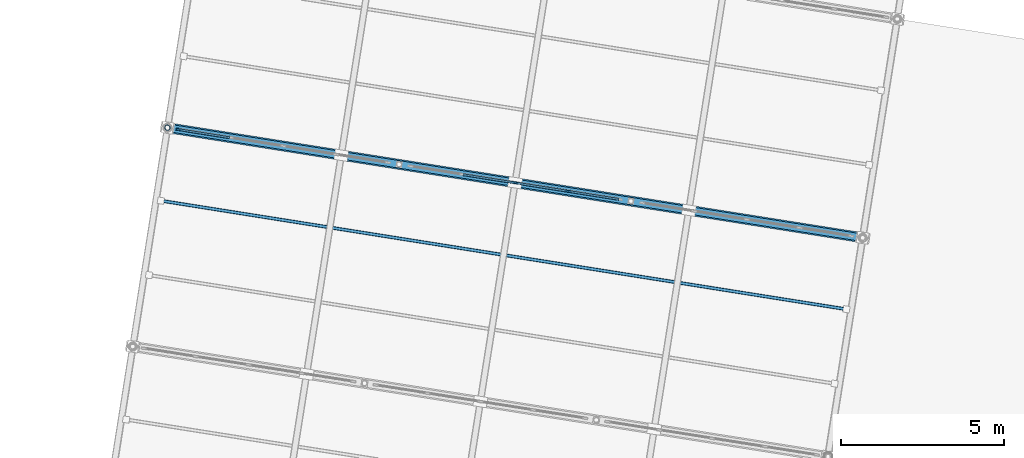
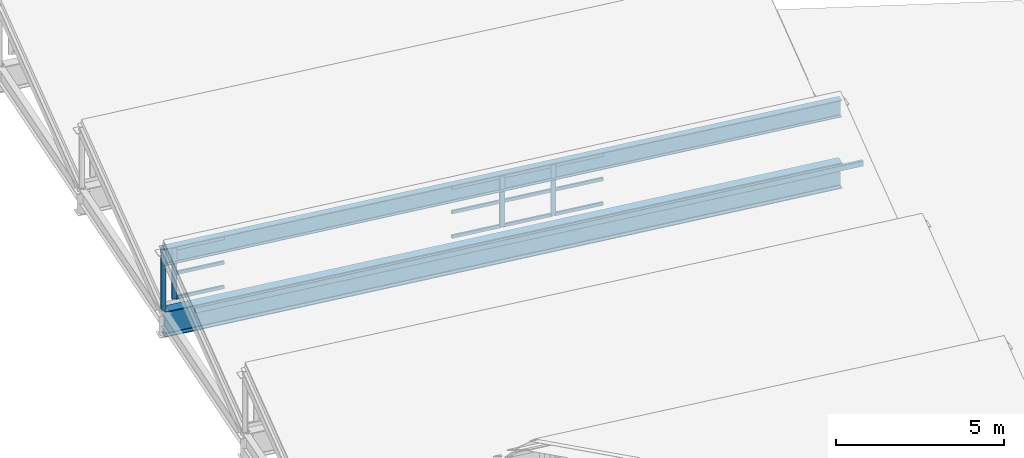
# One storey, part 42 of 65: 17 members, 2 beams, 2 elements without a shape of their own.
"""IFC4 building model written with IfcOpenShell, lengths in metres."""

from ifc_helpers import new_model, si_unit, direction, frame, origin, origin_2d, place, context, subcontext, project, spatial, rectangle, hollow_rectangle, hollow_circle, i_section, extrude, material, material_profile, profile_set, type_object, element, aggregate, save


model = new_model("IFC4")

# Units and contexts
model_context = context("Model", 3, precision=1e-05, world=origin(), true_north=direction((0.0, 1.0)))
body_context = subcontext(model_context, "Body", "Model", "MODEL_VIEW")
ifc_project = project(units=[si_unit("LENGTHUNIT", "METRE"), si_unit("AREAUNIT", "SQUARE_METRE"), si_unit("VOLUMEUNIT", "CUBIC_METRE"), si_unit("PLANEANGLEUNIT", "RADIAN"), si_unit("MASSUNIT", "GRAM", prefix="KILO")], contexts=[model_context])

# Site, building, storey
site_placement = place(None, origin())
site = spatial("IfcSite", under=ifc_project, at=site_placement, CompositionType="ELEMENT")
building_placement = place(site_placement, origin())
building = spatial("IfcBuilding", under=site, at=building_placement, Name="Cinderway Yard Community Centre", CompositionType="ELEMENT")
storey_placement = place(building_placement, frame((0.0, 0.0, 24.300048828125)))
storey = spatial("IfcBuildingStorey", under=building, at=storey_placement, Name="RF", CompositionType="ELEMENT", Elevation=24.300048828125)

# Curtain wall, member
ifc_material_1 = material(Name="Aluminium 6063-T6", Category="aluminium")
curtain_wall_type = type_object("IfcCurtainWallType", Name="ENV-CW-TYPE-23", PredefinedType="USERDEFINED", material=ifc_material_1)
curtain_wall_1_placement = place(storey_placement, origin())
curtain_wall_1 = element("IfcCurtainWall", 1, at=curtain_wall_1_placement, inside=storey, type_object=curtain_wall_type, Name="Sawtooth North-Light Clerestory ENV-CW-RF-ST-0081", ObjectType="GLAZED CURTAIN WALL", PredefinedType="USERDEFINED")
ifc_material_profile_1 = material_profile(ifc_material_1, rectangle(XDim=0.06005859375, YDim=0.159912109375, at=origin_2d()), Name="Aluminium 6063-T6")
ifc_profile_set_1 = profile_set([ifc_material_profile_1], Name="Aluminium 6063-T6")
member_type_1 = type_object("IfcMemberType", Name="ENV-CW-MULL-150", PredefinedType="MULLION", material=ifc_profile_set_1)
member_1_placement = place(storey_placement, frame((122.6005859375, 64.810302734375, -10.199951171875), z_axis=(0.0, 0.0, 1.0), x_axis=(0.15640876877, 0.987692410142, 0.0)))
member_1 = element("IfcMember", 2, at=member_1_placement, type_object=member_type_1, Name="CW-23 mullion 1", PredefinedType="MULLION", context=body_context, shape_type="SweptSolid", body=[
    extrude(rectangle(XDim=0.06005859375, YDim=0.159912109375, at=origin_2d()), origin(), (0.0, 0.0, 1.0), 1.849853515625),
])

# Curtain wall, members
curtain_wall_2_placement = place(storey_placement, origin())
curtain_wall_2 = element("IfcCurtainWall", 3, at=curtain_wall_2_placement, inside=storey, type_object=curtain_wall_type, Name="Sawtooth North-Light Clerestory ENV-CW-RF-ST-0082", ObjectType="GLAZED CURTAIN WALL", PredefinedType="USERDEFINED")
member_2_placement = place(storey_placement, frame((132.922119140625, 63.175537109375, -10.199951171875), z_axis=(0.0, 0.0, 1.0), x_axis=(0.156533911189, 0.98767258474, 0.0)))
member_2 = element("IfcMember", 4, at=member_2_placement, type_object=member_type_1, Name="CW-23 mullion 3", PredefinedType="MULLION", context=body_context, shape_type="SweptSolid", body=[
    extrude(rectangle(XDim=0.06005859375, YDim=0.159912109375, at=origin_2d()), origin(), (0.0, 0.0, 1.0), 1.849853515625),
])
member_3_placement = place(storey_placement, frame((134.5419921875, 62.918701171875, -10.199951171875), z_axis=(0.0, 0.0, 1.0), x_axis=(0.156533911189, 0.98767258474, 0.0)))
member_3 = element("IfcMember", 5, at=member_3_placement, type_object=member_type_1, Name="CW-23 mullion 4", PredefinedType="MULLION", context=body_context, shape_type="SweptSolid", body=[
    extrude(rectangle(XDim=0.06005859375, YDim=0.159912109375, at=origin_2d()), origin(), (0.0, 0.0, 1.0), 1.849853515625),
])

# Member
ifc_material_profile_2 = material_profile(ifc_material_1, rectangle(XDim=0.06005859375, YDim=0.1201171875, at=origin_2d()), Name="Aluminium 6063-T6")
ifc_profile_set_2 = profile_set([ifc_material_profile_2], Name="Aluminium 6063-T6")
member_type_2 = type_object("IfcMemberType", Name="ENV-CW-TRAN-110", PredefinedType="USERDEFINED", material=ifc_profile_set_2)
member_4_placement = place(storey_placement, frame((122.63037109375, 64.8056640625, -10.170166015625), z_axis=(0.987690055006, -0.15642364029, 0.0), x_axis=(0.15642364029, 0.987690055006, 0.0)))
member_4 = element("IfcMember", 6, at=member_4_placement, type_object=member_type_2, Name="CW-23 transom 1.1", ObjectType="TRANSOM", PredefinedType="USERDEFINED", context=body_context, shape_type="SweptSolid", body=[
    extrude(rectangle(XDim=0.06005859375, YDim=0.1201171875, at=origin_2d()), origin(), (0.0, 0.0, 1.0), 1.5498046875),
])

member_5_placement = place(storey_placement, frame((122.63037109375, 64.8056640625, -9.280029296875), z_axis=(0.987690055006, -0.15642364029, 0.0), x_axis=(0.15642364029, 0.987690055006, 0.0)))
member_5 = element("IfcMember", 7, at=member_5_placement, type_object=member_type_2, Name="CW-23 transom 1.2", ObjectType="TRANSOM", PredefinedType="USERDEFINED", context=body_context, shape_type="SweptSolid", body=[
    extrude(rectangle(XDim=0.06005859375, YDim=0.1201171875, at=origin_2d()), origin(), (0.0, 0.0, 1.0), 1.5498046875),
])

member_6_placement = place(storey_placement, frame((122.63037109375, 64.8056640625, -8.380126953125), z_axis=(0.987690055006, -0.15642364029, 0.0), x_axis=(0.15642364029, 0.987690055006, 0.0)))
member_6 = element("IfcMember", 8, at=member_6_placement, type_object=member_type_2, Name="CW-23 transom 1.3", ObjectType="TRANSOM", PredefinedType="USERDEFINED", context=body_context, shape_type="SweptSolid", body=[
    extrude(rectangle(XDim=0.06005859375, YDim=0.1201171875, at=origin_2d()), origin(), (0.0, 0.0, 1.0), 1.5498046875),
])

aggregate(curtain_wall_1, [member_1, member_4, member_5, member_6])

member_7_placement = place(storey_placement, frame((131.33154296875, 63.427490234375, -10.170166015625), z_axis=(0.98767763775, -0.15650202519, 0.0), x_axis=(0.15650202519, 0.98767763775, 0.0)))
member_7 = element("IfcMember", 9, at=member_7_placement, type_object=member_type_2, Name="CW-23 transom 2.1", ObjectType="TRANSOM", PredefinedType="USERDEFINED", context=body_context, shape_type="SweptSolid", body=[
    extrude(rectangle(XDim=0.06005859375, YDim=0.1201171875, at=origin_2d()), origin(), (0.0, 0.0, 1.0), 1.580322265625),
])

member_8_placement = place(storey_placement, frame((131.33154296875, 63.427490234375, -9.280029296875), z_axis=(0.98767763775, -0.15650202519, 0.0), x_axis=(0.15650202519, 0.98767763775, 0.0)))
member_8 = element("IfcMember", 10, at=member_8_placement, type_object=member_type_2, Name="CW-23 transom 2.2", ObjectType="TRANSOM", PredefinedType="USERDEFINED", context=body_context, shape_type="SweptSolid", body=[
    extrude(rectangle(XDim=0.06005859375, YDim=0.1201171875, at=origin_2d()), origin(), (0.0, 0.0, 1.0), 1.580322265625),
])

member_9_placement = place(storey_placement, frame((131.33154296875, 63.427490234375, -8.380126953125), z_axis=(0.98767763775, -0.15650202519, 0.0), x_axis=(0.15650202519, 0.98767763775, 0.0)))
member_9 = element("IfcMember", 11, at=member_9_placement, type_object=member_type_2, Name="CW-23 transom 2.3", ObjectType="TRANSOM", PredefinedType="USERDEFINED", context=body_context, shape_type="SweptSolid", body=[
    extrude(rectangle(XDim=0.06005859375, YDim=0.1201171875, at=origin_2d()), origin(), (0.0, 0.0, 1.0), 1.580322265625),
])

member_10_placement = place(storey_placement, frame((132.95166015625, 63.1708984375, -10.170166015625), z_axis=(0.987653746204, -0.156652729337, 0.0), x_axis=(0.156652729337, 0.987653746204, 0.0)))
member_10 = element("IfcMember", 12, at=member_10_placement, type_object=member_type_2, Name="CW-23 transom 3.1", ObjectType="TRANSOM", PredefinedType="USERDEFINED", context=body_context, shape_type="SweptSolid", body=[
    extrude(rectangle(XDim=0.06005859375, YDim=0.1201171875, at=origin_2d()), origin(), (0.0, 0.0, 1.0), 1.580322265625),
])

member_11_placement = place(storey_placement, frame((132.95166015625, 63.1708984375, -9.280029296875), z_axis=(0.987653746204, -0.156652729337, 0.0), x_axis=(0.156652729337, 0.987653746204, 0.0)))
member_11 = element("IfcMember", 13, at=member_11_placement, type_object=member_type_2, Name="CW-23 transom 3.2", ObjectType="TRANSOM", PredefinedType="USERDEFINED", context=body_context, shape_type="SweptSolid", body=[
    extrude(rectangle(XDim=0.06005859375, YDim=0.1201171875, at=origin_2d()), origin(), (0.0, 0.0, 1.0), 1.580322265625),
])

member_12_placement = place(storey_placement, frame((132.95166015625, 63.1708984375, -8.380126953125), z_axis=(0.987653746204, -0.156652729337, 0.0), x_axis=(0.156652729337, 0.987653746204, 0.0)))
member_12 = element("IfcMember", 14, at=member_12_placement, type_object=member_type_2, Name="CW-23 transom 3.3", ObjectType="TRANSOM", PredefinedType="USERDEFINED", context=body_context, shape_type="SweptSolid", body=[
    extrude(rectangle(XDim=0.06005859375, YDim=0.1201171875, at=origin_2d()), origin(), (0.0, 0.0, 1.0), 1.580322265625),
])

member_13_placement = place(storey_placement, frame((134.571533203125, 62.9140625, -10.170166015625), z_axis=(0.987673426318, -0.156528601046, 0.0), x_axis=(0.156528601046, 0.987673426318, 0.0)))
member_13 = element("IfcMember", 15, at=member_13_placement, type_object=member_type_2, Name="CW-23 transom 4.1", ObjectType="TRANSOM", PredefinedType="USERDEFINED", context=body_context, shape_type="SweptSolid", body=[
    extrude(rectangle(XDim=0.06005859375, YDim=0.1201171875, at=origin_2d()), origin(), (0.0, 0.0, 1.0), 1.55029296875),
])

member_14_placement = place(storey_placement, frame((134.571533203125, 62.9140625, -9.280029296875), z_axis=(0.987673426318, -0.156528601046, 0.0), x_axis=(0.156528601046, 0.987673426318, 0.0)))
member_14 = element("IfcMember", 16, at=member_14_placement, type_object=member_type_2, Name="CW-23 transom 4.2", ObjectType="TRANSOM", PredefinedType="USERDEFINED", context=body_context, shape_type="SweptSolid", body=[
    extrude(rectangle(XDim=0.06005859375, YDim=0.1201171875, at=origin_2d()), origin(), (0.0, 0.0, 1.0), 1.55029296875),
])

member_15_placement = place(storey_placement, frame((134.571533203125, 62.9140625, -8.380126953125), z_axis=(0.987673426318, -0.156528601046, 0.0), x_axis=(0.156528601046, 0.987673426318, 0.0)))
member_15 = element("IfcMember", 17, at=member_15_placement, type_object=member_type_2, Name="CW-23 transom 4.3", ObjectType="TRANSOM", PredefinedType="USERDEFINED", context=body_context, shape_type="SweptSolid", body=[
    extrude(rectangle(XDim=0.06005859375, YDim=0.1201171875, at=origin_2d()), origin(), (0.0, 0.0, 1.0), 1.55029296875),
])

aggregate(curtain_wall_2, [member_2, member_3, member_7, member_8, member_9, member_10, member_11, member_12, member_13, member_14, member_15])

# Beams
ifc_material_2 = material(Name="Steel S355", Category="steel")
ifc_material_profile_3 = material_profile(ifc_material_2, i_section(OverallWidth=0.22998046875, OverallDepth=0.616943359375, WebThickness=0.011962890625, FlangeThickness=0.01953125, FilletRadius=0.01611328125, at=origin_2d()), Name="Steel S355")
ifc_profile_set_3 = profile_set([ifc_material_profile_3], Name="Steel S355")
beam_type_1 = type_object("IfcBeamType", Name="STR-BM-W610X140", PredefinedType="BEAM", material=ifc_profile_set_3)
beam_1_placement = place(storey_placement, frame((122.2548828125, 64.864990234375, -8.55810546875), z_axis=(0.987689081599, -0.156429786455, 0.0), x_axis=(0.156429786455, 0.987689081599, 0.0)))
element("IfcBeam", 18, at=beam_1_placement, inside=storey, type_object=beam_type_1, Name="Sawtooth apex girder STR-BM-RF-SB05-1021", PredefinedType="BEAM", context=body_context, shape_type="SweptSolid", body=[
    extrude(i_section(OverallWidth=0.22998046875, OverallDepth=0.616943359375, WebThickness=0.011962890625, FlangeThickness=0.01953125, FilletRadius=0.01611328125, at=origin_2d()), origin(), (0.0, 0.0, 1.0), 21.60009765625),
])
ifc_material_profile_4 = material_profile(ifc_material_2, i_section(OverallWidth=0.30908203125, OverallDepth=0.931884765625, WebThickness=0.017333984375, FlangeThickness=0.030029296875, FilletRadius=0.02392578125, at=origin_2d()), Name="Steel S355")
ifc_profile_set_4 = profile_set([ifc_material_profile_4], Name="Steel S355")
beam_type_2 = type_object("IfcBeamType", Name="STR-BM-W920X313", PredefinedType="BEAM", material=ifc_profile_set_4)
beam_2_placement = place(storey_placement, frame((122.2548828125, 64.864990234375, -10.966064453125), z_axis=(0.987689081599, -0.156429786455, 0.0), x_axis=(0.156429786455, 0.987689081599, 0.0)))
element("IfcBeam", 19, at=beam_2_placement, inside=storey, type_object=beam_type_2, Name="Sports Hall clear-span girder 05", PredefinedType="BEAM", context=body_context, shape_type="SweptSolid", body=[
    extrude(i_section(OverallWidth=0.30908203125, OverallDepth=0.931884765625, WebThickness=0.017333984375, FlangeThickness=0.030029296875, FilletRadius=0.02392578125, at=origin_2d()), origin(), (0.0, 0.0, 1.0), 21.60009765625),
])

# Members
ifc_material_profile_5 = material_profile(ifc_material_2, hollow_rectangle(XDim=0.10009765625, YDim=0.199951171875, WallThickness=0.008056640625, InnerFilletRadius=0.008056640625, OuterFilletRadius=0.01611328125, at=origin_2d()), Name="Steel S355")
ifc_profile_set_5 = profile_set([ifc_material_profile_5], Name="Steel S355")
member_type_3 = type_object("IfcMemberType", Name="STR-MEM-PURLIN-200", PredefinedType="PURLIN", material=ifc_profile_set_5)
member_16_placement = place(storey_placement, frame((122.052001953125, 62.625, -9.095947265625), z_axis=(0.987688878943, -0.156431066005, 0.0), x_axis=(0.156431066005, 0.987688878943, 0.0)))
element("IfcMember", 20, at=member_16_placement, inside=storey, type_object=member_type_3, Name="Sawtooth roof purlin B4-67", PredefinedType="PURLIN", context=body_context, shape_type="SweptSolid", body=[
    extrude(hollow_rectangle(XDim=0.10009765625, YDim=0.199951171875, WallThickness=0.008056640625, InnerFilletRadius=0.008056640625, OuterFilletRadius=0.01611328125, at=origin_2d()), origin(), (0.0, 0.0, 1.0), 21.30029296875),
])
ifc_material_profile_6 = material_profile(ifc_material_2, hollow_circle(Radius=0.084228515625, WallThickness=0.008056640625, at=origin_2d()), Name="Steel S355")
ifc_profile_set_6 = profile_set([ifc_material_profile_6], Name="Steel S355")
member_type_4 = type_object("IfcMemberType", Name="STR-MEM-STRUT-CHS168", PredefinedType="STRUT", material=ifc_profile_set_6)
member_17_placement = place(storey_placement, frame((122.2548828125, 64.864990234375, -10.5), z_axis=(0.0, 0.0, 1.0), x_axis=(1.0, 0.0, 0.0)))
element("IfcMember", 21, at=member_17_placement, inside=storey, type_object=member_type_4, Name="Sawtooth kingpost B4-000", PredefinedType="STRUT", context=body_context, shape_type="SweptSolid", body=[
    extrude(hollow_circle(Radius=0.084228515625, WallThickness=0.008056640625, at=origin_2d()), origin(), (0.0, 0.0, 1.0), 2.25),
])

save(model, "model.ifc")
